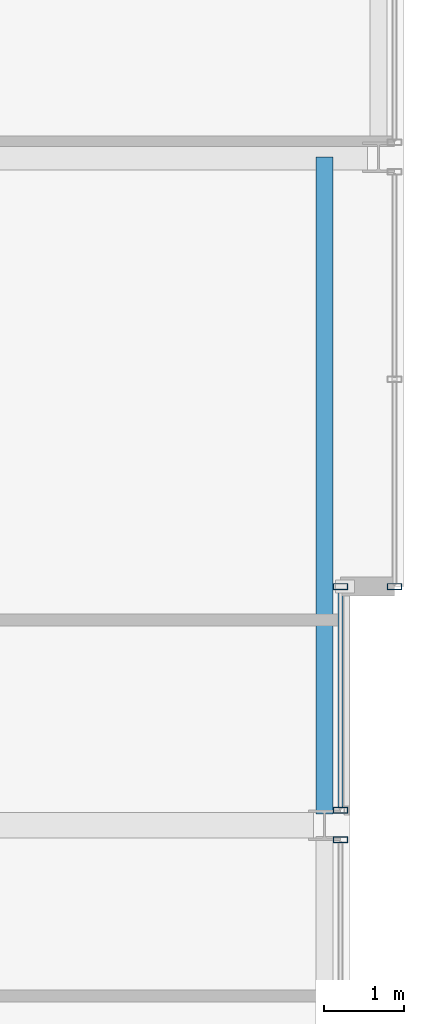
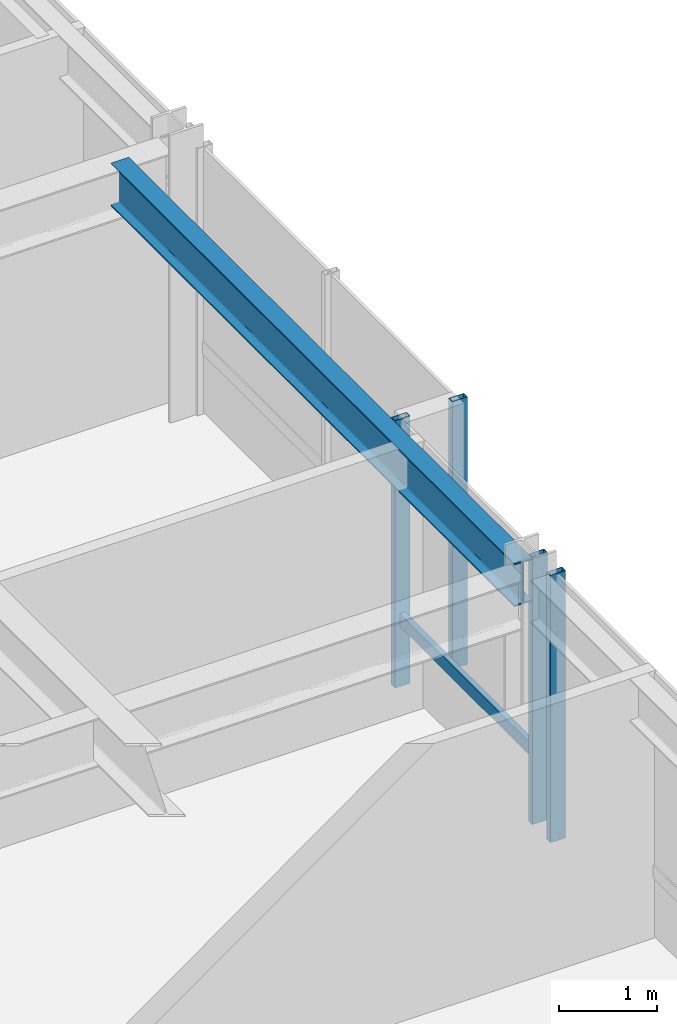
# One storey, part 16 of 32: 5 members, 1 beam, 3 elements without a shape of their own.
"""IFC4 building model written with IfcOpenShell, lengths in metres."""

from ifc_helpers import new_model, si_unit, direction, frame, origin, origin_2d, place, context, subcontext, project, spatial, hollow_rectangle, i_section, extrude, material, layer, layer_set, material_profile, profile_set, type_object, element, aggregate, save


model = new_model("IFC4")

# Units and contexts
model_context = context("Model", 3, precision=1e-05, world=origin(), true_north=direction((0.0, 1.0)))
body_context = subcontext(model_context, "Body", "Model", "MODEL_VIEW")
ifc_project = project(units=[si_unit("LENGTHUNIT", "METRE"), si_unit("AREAUNIT", "SQUARE_METRE"), si_unit("VOLUMEUNIT", "CUBIC_METRE"), si_unit("PLANEANGLEUNIT", "RADIAN"), si_unit("MASSUNIT", "GRAM", prefix="KILO")], contexts=[model_context])

# Site, building, storey
site_placement = place(None, origin())
site = spatial("IfcSite", under=ifc_project, at=site_placement, CompositionType="ELEMENT")
building_placement = place(site_placement, origin())
building = spatial("IfcBuilding", under=site, at=building_placement, Name="Drelvath Grand Hotel", CompositionType="ELEMENT")
storey_placement = place(building_placement, frame((0.0, 0.0, 233.89990234375)))
storey = spatial("IfcBuildingStorey", under=building, at=storey_placement, Name="L61", CompositionType="ELEMENT", Elevation=233.89990234375)

# Curtain wall, member
ifc_material_1 = material(Name="Platinum-Mist Anodised Aluminium Frame", Category="aluminium")
ifc_layer = layer(ifc_material_1, 0.199951171875)
ifc_layer_set = layer_set([ifc_layer], Name="Platinum-Mist Anodised Aluminium Frame")
curtain_wall_type = type_object("IfcCurtainWallType", Name="Stick Curtain Wall CW-05 Platinum Mist High-Rise", PredefinedType="NOTDEFINED", material=ifc_layer_set)
curtain_wall_1_placement = place(storey_placement, origin())
curtain_wall_1 = element("IfcCurtainWall", 1, at=curtain_wall_1_placement, inside=storey, type_object=curtain_wall_type, Name="L61 CW-05 Curtain Wall CW05-L61-EM2", PredefinedType="NOTDEFINED")
ifc_material_profile_1 = material_profile(ifc_material_1, hollow_rectangle(XDim=0.06494140625, YDim=0.159912109375, WallThickness=0.00390625, at=origin_2d()), Name="HSS160X65X4")
ifc_profile_set_1 = profile_set([ifc_material_profile_1], Name="Platinum-Mist Anodised Aluminium Frame")
member_type_1 = type_object("IfcMemberType", Name="Curtain Wall Horizontal Transom CW-05 HSS160X65X4", PredefinedType="USERDEFINED", material=ifc_profile_set_1)
member_1_placement = place(storey_placement, frame((21.39990234375, 29.9599609375, 0.835205078125), z_axis=(0.0, -1.0, 0.0), x_axis=(1.0, 0.0, 0.0)))
member_1 = element("IfcMember", 2, at=member_1_placement, type_object=member_type_1, Name="CW05-L61-EM2 Sill Transom", ObjectType="TRANSOM", PredefinedType="USERDEFINED", context=body_context, shape_type="SweptSolid", body=[
    extrude(hollow_rectangle(XDim=0.06494140625, YDim=0.159912109375, WallThickness=0.00390625, at=origin_2d()), origin(), (0.0, 0.0, 1.0), 2.734619140625),
])

curtain_wall_2_placement = place(storey_placement, origin())
curtain_wall_2 = element("IfcCurtainWall", 3, at=curtain_wall_2_placement, inside=storey, type_object=curtain_wall_type, Name="L61 CW-05 Curtain Wall CW05-L61-EN1", PredefinedType="NOTDEFINED")
ifc_material_profile_2 = material_profile(ifc_material_1, hollow_rectangle(XDim=0.074951171875, YDim=0.179931640625, WallThickness=0.0048828125, at=origin_2d()), Name="HSS180X75X5")
ifc_profile_set_2 = profile_set([ifc_material_profile_2], Name="Platinum-Mist Anodised Aluminium Frame")
member_type_2 = type_object("IfcMemberType", Name="Curtain Wall Vertical Mullion CW-05 HSS180X75X5", PredefinedType="MULLION", material=ifc_profile_set_2)
member_2_placement = place(storey_placement, frame((22.080078125, 30.0, 0.0), z_axis=(0.0, 0.0, 1.0), x_axis=(0.0, 1.0, 0.0)))
member_2 = element("IfcMember", 4, at=member_2_placement, type_object=member_type_2, Name="CW05-L61-EN1 Mullion 3", PredefinedType="MULLION", context=body_context, shape_type="SweptSolid", body=[
    extrude(hollow_rectangle(XDim=0.074951171875, YDim=0.179931640625, WallThickness=0.0048828125, at=origin_2d()), origin(), (0.0, 0.0, 1.0), 3.340087890625),
])
aggregate(curtain_wall_2, [member_2])

curtain_wall_3_placement = place(storey_placement, origin())
curtain_wall_3 = element("IfcCurtainWall", 5, at=curtain_wall_3_placement, inside=storey, type_object=curtain_wall_type, Name="L61 CW-05 Curtain Wall CW05-L61-EM1", PredefinedType="NOTDEFINED")
member_3_placement = place(storey_placement, frame((21.39990234375, 26.814697265625, 0.0), z_axis=(0.0, 0.0, 1.0), x_axis=(0.0, 1.0, 0.0)))
member_3 = element("IfcMember", 6, at=member_3_placement, type_object=member_type_2, Name="CW05-L61-EM1 Mullion 1", PredefinedType="MULLION", context=body_context, shape_type="SweptSolid", body=[
    extrude(hollow_rectangle(XDim=0.074951171875, YDim=0.179931640625, WallThickness=0.0048828125, at=origin_2d()), origin(), (0.0, 0.0, 1.0), 3.340087890625),
])
aggregate(curtain_wall_3, [member_3])

# Member
member_4_placement = place(storey_placement, frame((21.39990234375, 30.0, 0.0), z_axis=(0.0, 0.0, 1.0), x_axis=(0.0, 1.0, 0.0)))
member_4 = element("IfcMember", 7, at=member_4_placement, type_object=member_type_2, Name="CW05-L61-EM2 Mullion 1", PredefinedType="MULLION", context=body_context, shape_type="SweptSolid", body=[
    extrude(hollow_rectangle(XDim=0.074951171875, YDim=0.179931640625, WallThickness=0.0048828125, at=origin_2d()), origin(), (0.0, 0.0, 1.0), 3.340087890625),
])

member_5_placement = place(storey_placement, frame((21.39990234375, 27.185302734375, 0.0), z_axis=(0.0, 0.0, 1.0), x_axis=(0.0, 1.0, 0.0)))
member_5 = element("IfcMember", 8, at=member_5_placement, type_object=member_type_2, Name="CW05-L61-EM2 Mullion 2", PredefinedType="MULLION", context=body_context, shape_type="SweptSolid", body=[
    extrude(hollow_rectangle(XDim=0.074951171875, YDim=0.179931640625, WallThickness=0.0048828125, at=origin_2d()), origin(), (0.0, 0.0, 1.0), 3.340087890625),
])

aggregate(curtain_wall_1, [member_4, member_5, member_1])

# Beam
ifc_material_2 = material(Name="Steel ASTM A992 Gr 50", Category="steel")
ifc_material_profile_3 = material_profile(ifc_material_2, i_section(OverallWidth=0.210205078125, OverallDepth=0.53662109375, WebThickness=0.010986328125, FlangeThickness=0.017333984375, FilletRadius=0.01806640625, at=origin_2d()), Name="W21X68")
ifc_profile_set_3 = profile_set([ifc_material_profile_3], Name="Steel ASTM A992 Gr 50")
beam_type = type_object("IfcBeamType", Name="Perimeter Spandrel Beam W21X68", PredefinedType="SPANDREL", material=ifc_profile_set_3)
beam_placement = place(storey_placement, frame((21.199951171875, 27.139892578125, 3.07177734375), z_axis=(0.0, 1.0, 0.0), x_axis=(-1.0, 0.0, 0.0)))
element("IfcBeam", 9, at=beam_placement, inside=storey, type_object=beam_type, Name="L61 Spandrel East Mid N", PredefinedType="SPANDREL", context=body_context, shape_type="SweptSolid", body=[
    extrude(i_section(OverallWidth=0.210205078125, OverallDepth=0.53662109375, WebThickness=0.010986328125, FlangeThickness=0.017333984375, FilletRadius=0.01806640625, at=origin_2d()), origin(), (0.0, 0.0, 1.0), 8.260009765625),
])

save(model, "model.ifc")
